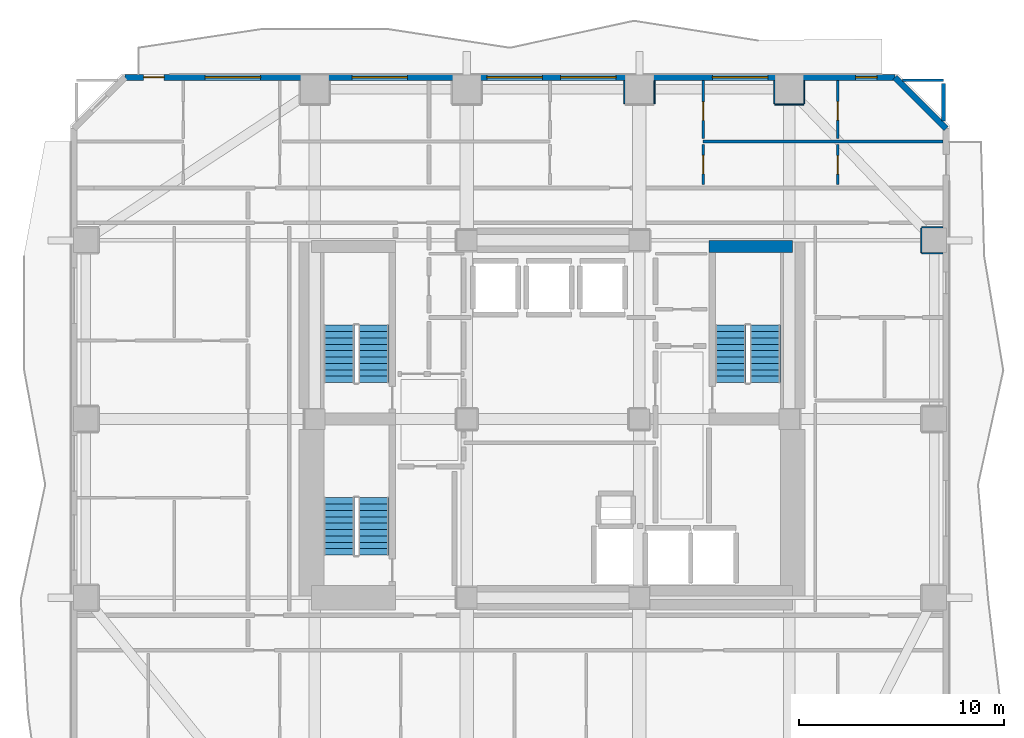
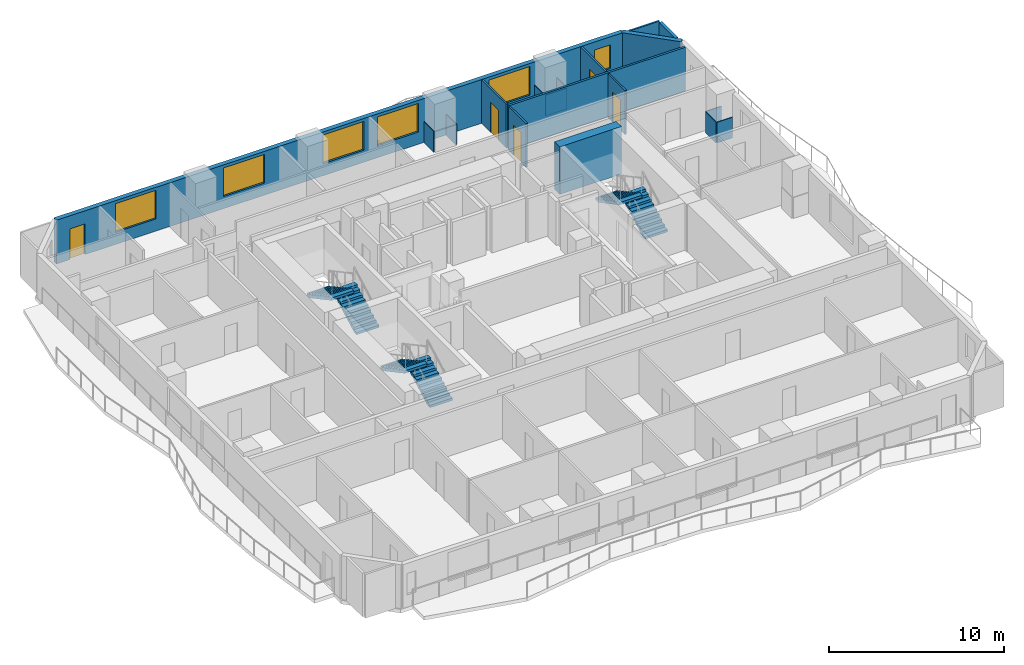
# One storey, part 7 of 11: 18 walls, 6 stair flights, 6 windows, 5 doors, 11 openings, 3 elements without a shape of their own.
"""IFC4 building model written with IfcOpenShell, lengths in metres."""

from ifc_helpers import new_model, si_unit, direction, frame, frame_2d, origin, place, context, subcontext, project, spatial, polyline, rectangle, outline, extrude, material, layer, layer_set, type_object, element, fill, aggregate, save


model = new_model("IFC4")

# Units and contexts
model_context = context("Model", 3, precision=1e-05, world=origin(), true_north=direction((0.0, 1.0)))
body_context = subcontext(model_context, "Body", "Model", "MODEL_VIEW")
ifc_project = project(units=[si_unit("LENGTHUNIT", "METRE"), si_unit("AREAUNIT", "SQUARE_METRE"), si_unit("VOLUMEUNIT", "CUBIC_METRE"), si_unit("PLANEANGLEUNIT", "RADIAN"), si_unit("MASSUNIT", "GRAM", prefix="KILO")], contexts=[model_context])

# Site, building, storey
site_placement = place(None, origin())
site = spatial("IfcSite", under=ifc_project, at=site_placement, CompositionType="ELEMENT")
building_placement = place(site_placement, origin())
building = spatial("IfcBuilding", under=site, at=building_placement, Name="Solanera Arch Residences", CompositionType="ELEMENT")
storey_placement = place(building_placement, frame((0.0, 0.0, 28.639892578125)))
storey = spatial("IfcBuildingStorey", under=building, at=storey_placement, Name="L07", CompositionType="ELEMENT", Elevation=28.639892578125)

# Walls
ifc_material_1 = material(Name="Fire-Rated Gypsum Stud Partition", Category="gypsum")
ifc_layer_1 = layer(ifc_material_1, 0.06005859375)
ifc_layer_set_1 = layer_set([ifc_layer_1], Name="Fire-Rated Gypsum Stud Partition")
wall_type_1 = type_object("IfcWallType", Name="Column Acoustic Furring Wall 60", PredefinedType="PARTITIONING", material=ifc_layer_set_1)
for number, where, z_axis, x_axis, name in (
    (1, (28.468017578125, 46.050048828125, 0.0), (0.0, 0.0, 1.0), (0.0, 1.0, 0.0), "L07 Column Furring 14W"),
    (2, (29.931884765625, 46.050048828125, 0.0), (0.0, 0.0, 1.0), (0.0, 1.0, 0.0), "L07 Column Furring 14E"),
):
    element("IfcWall", number, at=place(storey_placement, frame(where, z_axis=z_axis, x_axis=x_axis)), inside=storey, type_object=wall_type_1, Name=name, PredefinedType="PARTITIONING", context=body_context, shape_type="SweptSolid", body=[
        extrude(rectangle(XDim=1.119873046875, YDim=0.06005859375, at=frame_2d((0.56005859375, 0.0))), origin(), (0.0, 0.0, 1.0), 1.4501953125),
    ])
wall_1_placement = place(storey_placement, frame((35.800048828125, 46.01806640625, 0.0), z_axis=(0.0, 0.0, 1.0), x_axis=(1.0, 0.0, 0.0)))
element("IfcWall", 3, at=wall_1_placement, inside=storey, type_object=wall_type_1, Name="L07 Column Furring 16S", PredefinedType="PARTITIONING", context=body_context, shape_type="SweptSolid", body=[
    extrude(rectangle(XDim=1.39990234375, YDim=0.06005859375, at=frame_2d((0.699951171875, 0.0))), origin(), (0.0, 0.0, 1.0), 1.4501953125),
])
for number, where, z_axis, x_axis, name in (
    (4, (35.76806640625, 46.050048828125, 0.0), (0.0, 0.0, 1.0), (0.0, 1.0, 0.0), "L07 Column Furring 16W"),
    (5, (37.23193359375, 46.050048828125, 0.0), (0.0, 0.0, 1.0), (0.0, 1.0, 0.0), "L07 Column Furring 16E"),
):
    element("IfcWall", number, at=place(storey_placement, frame(where, z_axis=z_axis, x_axis=x_axis)), inside=storey, type_object=wall_type_1, Name=name, PredefinedType="PARTITIONING", context=body_context, shape_type="SweptSolid", body=[
        extrude(rectangle(XDim=1.119873046875, YDim=0.06005859375, at=frame_2d((0.56005859375, 0.0))), origin(), (0.0, 0.0, 1.0), 1.4501953125),
    ])
for number, where, z_axis, x_axis, name in (
    (6, (42.949951171875, 38.76806640625, 0.0), (0.0, 0.0, 1.0), (1.0, 0.0, 0.0), "L07 Column Furring 22S"),
    (7, (42.949951171875, 40.031982421875, 0.0), (0.0, 0.0, 1.0), (1.0, 0.0, 0.0), "L07 Column Furring 22N"),
):
    element("IfcWall", number, at=place(storey_placement, frame(where, z_axis=z_axis, x_axis=x_axis)), inside=storey, type_object=wall_type_1, Name=name, PredefinedType="PARTITIONING", context=body_context, shape_type="SweptSolid", body=[
        extrude(rectangle(XDim=1.02001953125, YDim=0.06005859375, at=frame_2d((0.510009765625, 0.0))), origin(), (0.0, 0.0, 1.0), 1.4501953125),
    ])
wall_2_placement = place(storey_placement, frame((42.91796875, 38.800048828125, 0.0), z_axis=(0.0, 0.0, 1.0), x_axis=(0.0, 1.0, 0.0)))
element("IfcWall", 8, at=wall_2_placement, inside=storey, type_object=wall_type_1, Name="L07 Column Furring 22W", PredefinedType="PARTITIONING", context=body_context, shape_type="SweptSolid", body=[
    extrude(rectangle(XDim=1.199951171875, YDim=0.06005859375, at=frame_2d((0.60009765625, 0.0))), origin(), (0.0, 0.0, 1.0), 1.4501953125),
])
ifc_material_2 = material(Name="Concrete C40/50 (f'c = 45 MPa)", Category="concrete")
ifc_layer_2 = layer(ifc_material_2, 0.60009765625)
ifc_layer_set_2 = layer_set([ifc_layer_2], Name="Concrete C40/50 (f'c = 45 MPa)")
wall_type_2 = type_object("IfcWallType", Name="Core Shear Wall CW-600", PredefinedType="SHEAR", material=ifc_layer_set_2)
wall_3_placement = place(storey_placement, frame((32.580078125, 39.10009765625, 0.0), z_axis=(0.0, 0.0, 1.0), x_axis=(1.0, 0.0, 0.0)))
element("IfcWall", 9, at=wall_3_placement, inside=storey, type_object=wall_type_2, Name="L07 North-East Core Shear Wall", PredefinedType="SHEAR", context=body_context, shape_type="SweptSolid", body=[
    extrude(rectangle(XDim=4.079833984375, YDim=0.60009765625, at=frame_2d((2.0400390625, 0.0))), origin(), (0.0, 0.0, 1.0), 3.320068359375),
])
ifc_material_3 = material(Name="Autoclaved Aerated Concrete Blockwork", Category="masonry")
ifc_layer_3 = layer(ifc_material_3, 0.179931640625)
ifc_layer_set_3 = layer_set([ifc_layer_3], Name="Autoclaved Aerated Concrete Blockwork")
wall_type_3 = type_object("IfcWallType", Name="Corridor Fire Partition 180", PredefinedType="PARTITIONING", material=ifc_layer_set_3)
wall_4_placement = place(storey_placement, frame((44.0, 45.198974609375, 0.0), z_axis=(0.0, 0.0, 1.0), x_axis=(0.0, 1.0, 0.0)))
element("IfcWall", 10, at=wall_4_placement, inside=storey, type_object=wall_type_3, Name="L07 Interior Partition V10 2", PredefinedType="PARTITIONING", context=body_context, shape_type="SweptSolid", body=[
    extrude(rectangle(XDim=1.843017578125, YDim=0.179931640625, at=frame_2d((0.92138671875, 0.0))), origin(), (0.0, 0.0, 1.0), 3.06005859375),
])

# Wall, openings, door, windows
ifc_material_4 = material(Name="Precast Concrete C35/45", Category="concrete")
ifc_layer_4 = layer(ifc_material_4, 0.300048828125)
ifc_layer_set_4 = layer_set([ifc_layer_4], Name="Precast Concrete C35/45")
wall_type_4 = type_object("IfcWallType", Name="Exterior Wall Precast Masonry-Frame 300", PredefinedType="STANDARD", material=ifc_layer_set_4)
wall_5_placement = place(storey_placement, frame((4.1650390625, 47.3349609375, 0.0), z_axis=(0.0, 0.0, 1.0), x_axis=(1.0, 0.0, 0.0)))
wall_5 = element("IfcWall", 11, at=wall_5_placement, inside=storey, type_object=wall_type_4, Name="L07 Tower Exterior Precast Masonry-Frame Wall N", PredefinedType="STANDARD", context=body_context, shape_type="SweptSolid", body=[
    extrude(rectangle(XDim=37.469970703125, YDim=0.300048828125, at=frame_2d((18.73486328125, 0.0))), origin(), (0.0, 0.0, 1.0), 3.06005859375),
])
opening_1_placement = place(wall_5_placement, frame((0.90087890625, 0.0, 0.0)))
opening_1 = element("IfcOpeningElement", 12, at=opening_1_placement, cuts=wall_5, Name="Opening DB-01", PredefinedType="OPENING", context=body_context, shape_type="SweptSolid", body=[
    extrude(rectangle(XDim=1.0, YDim=2.14990234375, at=frame_2d((0.5, 1.074951171875))), frame((0.0, 0.159912109375, 0.0), z_axis=(0.0, -1.0, 0.0), x_axis=(1.0, 0.0, 0.0)), (0.0, 0.0, 1.0), 0.32),
])
opening_2_placement = place(wall_5_placement, frame((3.89306640625, 0.0, 0.85009765625)))
opening_2 = element("IfcOpeningElement", 13, at=opening_2_placement, cuts=wall_5, Name="Opening W-09", PredefinedType="OPENING", context=body_context, shape_type="SweptSolid", body=[
    extrude(rectangle(XDim=2.699951171875, YDim=2.0, at=frame_2d((1.35009765625, 1.0))), frame((0.0, 0.159912109375, 0.0), z_axis=(0.0, -1.0, 0.0), x_axis=(1.0, 0.0, 0.0)), (0.0, 0.0, 1.0), 0.32),
])
opening_3_placement = place(wall_5_placement, frame((11.044921875, 0.0, 0.85009765625)))
opening_3 = element("IfcOpeningElement", 14, at=opening_3_placement, cuts=wall_5, Name="Opening W-09", PredefinedType="OPENING", context=body_context, shape_type="SweptSolid", body=[
    extrude(rectangle(XDim=2.699951171875, YDim=2.0, at=frame_2d((1.35009765625, 1.0))), frame((0.0, 0.159912109375, 0.0), z_axis=(0.0, -1.0, 0.0), x_axis=(1.0, 0.0, 0.0)), (0.0, 0.0, 1.0), 0.32),
])
opening_4_placement = place(wall_5_placement, frame((21.2060546875, 0.0, 0.85009765625)))
opening_4 = element("IfcOpeningElement", 15, at=opening_4_placement, cuts=wall_5, Name="Opening W-09", PredefinedType="OPENING", context=body_context, shape_type="SweptSolid", body=[
    extrude(rectangle(XDim=2.699951171875, YDim=2.0, at=frame_2d((1.35009765625, 1.0))), frame((0.0, 0.159912109375, 0.0), z_axis=(0.0, -1.0, 0.0), x_axis=(1.0, 0.0, 0.0)), (0.0, 0.0, 1.0), 0.32),
])
opening_5_placement = place(wall_5_placement, frame((17.60595703125, 0.0, 0.85009765625)))
opening_5 = element("IfcOpeningElement", 16, at=opening_5_placement, cuts=wall_5, Name="Opening W-09", PredefinedType="OPENING", context=body_context, shape_type="SweptSolid", body=[
    extrude(rectangle(XDim=2.699951171875, YDim=2.0, at=frame_2d((1.35009765625, 1.0))), frame((0.0, 0.159912109375, 0.0), z_axis=(0.0, -1.0, 0.0), x_axis=(1.0, 0.0, 0.0)), (0.0, 0.0, 1.0), 0.32),
])
opening_6_placement = place(wall_5_placement, frame((28.587890625, 0.0, 0.85009765625)))
opening_6 = element("IfcOpeningElement", 17, at=opening_6_placement, cuts=wall_5, Name="Opening W-09", PredefinedType="OPENING", context=body_context, shape_type="SweptSolid", body=[
    extrude(rectangle(XDim=2.699951171875, YDim=2.0, at=frame_2d((1.35009765625, 1.0))), frame((0.0, 0.159912109375, 0.0), z_axis=(0.0, -1.0, 0.0), x_axis=(1.0, 0.0, 0.0)), (0.0, 0.0, 1.0), 0.32),
])
opening_7_placement = place(wall_5_placement, frame((35.56005859375, 0.0, 0.85009765625)))
opening_7 = element("IfcOpeningElement", 18, at=opening_7_placement, cuts=wall_5, Name="Opening W-07", PredefinedType="OPENING", context=body_context, shape_type="SweptSolid", body=[
    extrude(rectangle(XDim=1.050048828125, YDim=1.64990234375, at=frame_2d((0.52490234375, 0.824951171875))), frame((0.0, 0.159912109375, 0.0), z_axis=(0.0, -1.0, 0.0), x_axis=(1.0, 0.0, 0.0)), (0.0, 0.0, 1.0), 0.32),
])
ifc_material_5 = material(Name="Anodised Aluminium Alloy 6063-T6", Category="aluminium")
door_type_1 = type_object("IfcDoorType", Name="Glazed Balcony Swing Door DB-01", OperationType="NOTDEFINED", PredefinedType="DOOR", material=ifc_material_5)
door_1_placement = place(opening_1_placement, origin())
door_1 = element("IfcDoor", 19, at=door_1_placement, inside=storey, type_object=door_type_1, Name="DR-L07-OUT-02", OperationType="SINGLE_SWING_RIGHT", OverallHeight=2.14990234375, OverallWidth=1.0, PredefinedType="DOOR", context=body_context, shape_type="SweptSolid", body=[
    extrude(rectangle(XDim=1.0, YDim=2.14990234375, at=frame_2d((0.5, 1.074951171875))), frame((0.0, 0.02490234375, 0.0), z_axis=(0.0, -1.0, 0.0), x_axis=(1.0, 0.0, 0.0)), (0.0, 0.0, 1.0), 0.050048828125),
])
fill(opening_1, door_1)
ifc_material_6 = material(Name="Double Glazed Low-E Laminated Glass", Category="glass")
window_type_1 = type_object("IfcWindowType", Name="Punched Window W-07", PartitioningType="SINGLE_PANEL", PredefinedType="WINDOW", material=ifc_material_6)
window_1_placement = place(opening_7_placement, origin())
window_1 = element("IfcWindow", 20, at=window_1_placement, inside=storey, type_object=window_type_1, Name="L07 0704-BR3 Punched Window", OverallHeight=1.64990234375, OverallWidth=1.050048828125, PartitioningType="SINGLE_PANEL", PredefinedType="WINDOW", context=body_context, shape_type="SweptSolid", body=[
    extrude(rectangle(XDim=1.050048828125, YDim=1.64990234375, at=frame_2d((0.52490234375, 0.824951171875))), frame((0.0, 0.030029296875, 0.0), z_axis=(0.0, -1.0, 0.0), x_axis=(1.0, 0.0, 0.0)), (0.0, 0.0, 1.0), 0.06005859375),
])
fill(opening_7, window_1)
ifc_material_7 = material(Name="Double Glazed Low-E Laminated Glass", Category="glass")
window_type_2 = type_object("IfcWindowType", Name="Punched Window W-09", PartitioningType="TRIPLE_PANEL_VERTICAL", PredefinedType="WINDOW", material=ifc_material_7)
window_2_placement = place(opening_2_placement, origin())
window_2 = element("IfcWindow", 21, at=window_2_placement, inside=storey, type_object=window_type_2, Name="L07 0703-LIV Punched Window", OverallHeight=2.0, OverallWidth=2.699951171875, PartitioningType="SINGLE_PANEL", PredefinedType="WINDOW", context=body_context, shape_type="SweptSolid", body=[
    extrude(rectangle(XDim=2.699951171875, YDim=2.0, at=frame_2d((1.35009765625, 1.0))), frame((0.0, 0.030029296875, 0.0), z_axis=(0.0, -1.0, 0.0), x_axis=(1.0, 0.0, 0.0)), (0.0, 0.0, 1.0), 0.06005859375),
])
fill(opening_2, window_2)
window_3_placement = place(opening_3_placement, origin())
window_3 = element("IfcWindow", 22, at=window_3_placement, inside=storey, type_object=window_type_2, Name="L07 0703-BR2 Punched Window", OverallHeight=2.0, OverallWidth=2.699951171875, PartitioningType="SINGLE_PANEL", PredefinedType="WINDOW", context=body_context, shape_type="SweptSolid", body=[
    extrude(rectangle(XDim=2.699951171875, YDim=2.0, at=frame_2d((1.35009765625, 1.0))), frame((0.0, 0.030029296875, 0.0), z_axis=(0.0, -1.0, 0.0), x_axis=(1.0, 0.0, 0.0)), (0.0, 0.0, 1.0), 0.06005859375),
])
fill(opening_3, window_3)
window_4_placement = place(opening_4_placement, origin())
window_4 = element("IfcWindow", 23, at=window_4_placement, inside=storey, type_object=window_type_2, Name="L07 0704-LIV Punched Window", OverallHeight=2.0, OverallWidth=2.699951171875, PartitioningType="SINGLE_PANEL", PredefinedType="WINDOW", context=body_context, shape_type="SweptSolid", body=[
    extrude(rectangle(XDim=2.699951171875, YDim=2.0, at=frame_2d((1.35009765625, 1.0))), frame((0.0, 0.030029296875, 0.0), z_axis=(0.0, -1.0, 0.0), x_axis=(1.0, 0.0, 0.0)), (0.0, 0.0, 1.0), 0.06005859375),
])
fill(opening_4, window_4)
window_5_placement = place(opening_5_placement, origin())
window_5 = element("IfcWindow", 24, at=window_5_placement, inside=storey, type_object=window_type_2, Name="L07 0704-BR1 Punched Window", OverallHeight=2.0, OverallWidth=2.699951171875, PartitioningType="SINGLE_PANEL", PredefinedType="WINDOW", context=body_context, shape_type="SweptSolid", body=[
    extrude(rectangle(XDim=2.699951171875, YDim=2.0, at=frame_2d((1.35009765625, 1.0))), frame((0.0, 0.030029296875, 0.0), z_axis=(0.0, -1.0, 0.0), x_axis=(1.0, 0.0, 0.0)), (0.0, 0.0, 1.0), 0.06005859375),
])
fill(opening_5, window_5)
window_6_placement = place(opening_6_placement, origin())
window_6 = element("IfcWindow", 25, at=window_6_placement, inside=storey, type_object=window_type_2, Name="L07 0704-BR2 Punched Window", OverallHeight=2.0, OverallWidth=2.699951171875, PartitioningType="SINGLE_PANEL", PredefinedType="WINDOW", context=body_context, shape_type="SweptSolid", body=[
    extrude(rectangle(XDim=2.699951171875, YDim=2.0, at=frame_2d((1.35009765625, 1.0))), frame((0.0, 0.030029296875, 0.0), z_axis=(0.0, -1.0, 0.0), x_axis=(1.0, 0.0, 0.0)), (0.0, 0.0, 1.0), 0.06005859375),
])
fill(opening_6, window_6)

# Walls
wall_6_placement = place(storey_placement, frame((41.635009765625, 47.3349609375, 0.0), z_axis=(0.0, 0.0, 1.0), x_axis=(0.707106781187, -0.707106781187, 0.0)))
element("IfcWall", 26, at=wall_6_placement, inside=storey, type_object=wall_type_4, Name="L07 Tower Exterior Precast Masonry-Frame Wall CH3", PredefinedType="STANDARD", context=body_context, shape_type="SweptSolid", body=[
    extrude(rectangle(XDim=3.53564453125, YDim=0.300048828125, at=frame_2d((1.767822265625, 0.0))), origin(), (0.0, 0.0, 1.0), 3.06005859375),
])
ifc_material_8 = material(Name="Fire-Rated Gypsum Stud Partition", Category="gypsum")
ifc_layer_5 = layer(ifc_material_8, 0.1201171875)
ifc_layer_set_5 = layer_set([ifc_layer_5], Name="Fire-Rated Gypsum Stud Partition")
wall_type_5 = type_object("IfcWallType", Name="Unit Drywall Partition 120", PredefinedType="PARTITIONING", material=ifc_layer_set_5)
wall_7_placement = place(storey_placement, frame((41.9990234375, 47.199951171875, 0.0), z_axis=(0.0, 0.0, 1.0), x_axis=(1.0, 0.0, 0.0)))
element("IfcWall", 27, at=wall_7_placement, inside=storey, type_object=wall_type_5, Name="L07 Interior Partition H24 2", PredefinedType="PARTITIONING", context=body_context, shape_type="SweptSolid", body=[
    extrude(rectangle(XDim=2.0009765625, YDim=0.1201171875, at=frame_2d((1.00048828125, 0.0))), origin(), (0.0, 0.0, 1.0), 3.06005859375),
])

# Wall, opening, door
wall_8_placement = place(storey_placement, frame((32.305908203125, 42.10791015625, 0.0), z_axis=(0.0, 0.0, 1.0), x_axis=(0.0, 1.0, 0.0)))
wall_8 = element("IfcWall", 28, at=wall_8_placement, inside=storey, type_object=wall_type_5, Name="L07 Interior Partition V25 1", PredefinedType="PARTITIONING", context=body_context, shape_type="SweptSolid", body=[
    extrude(rectangle(XDim=1.962158203125, YDim=0.1201171875, at=frame_2d((0.98095703125, 0.0))), origin(), (0.0, 0.0, 1.0), 3.06005859375),
])
opening_8_placement = place(wall_8_placement, frame((0.533935546875, 0.0, 0.0)))
opening_8 = element("IfcOpeningElement", 29, at=opening_8_placement, cuts=wall_8, Name="Opening DI-02", PredefinedType="OPENING", context=body_context, shape_type="SweptSolid", body=[
    extrude(rectangle(XDim=0.89990234375, YDim=2.10009765625, at=frame_2d((0.449951171875, 1.050048828125))), frame((0.0, 0.070068359375, 0.0), z_axis=(0.0, -1.0, 0.0), x_axis=(1.0, 0.0, 0.0)), (0.0, 0.0, 1.0), 0.1401),
])
ifc_material_9 = material(Name="Fire-Rated Architectural Hardwood", Category="wood")
door_type_2 = type_object("IfcDoorType", Name="Suite Room Swing Door DI-02", OperationType="NOTDEFINED", PredefinedType="DOOR", material=ifc_material_9)
door_2_placement = place(opening_8_placement, origin())
door_2 = element("IfcDoor", 30, at=door_2_placement, inside=storey, type_object=door_type_2, Name="DR-L07-IN-036", OperationType="SINGLE_SWING_LEFT", OverallHeight=2.10009765625, OverallWidth=0.89990234375, PredefinedType="DOOR", context=body_context, shape_type="SweptSolid", body=[
    extrude(rectangle(XDim=0.89990234375, YDim=2.10009765625, at=frame_2d((0.449951171875, 1.050048828125))), frame((0.0, 0.02490234375, 0.0), z_axis=(0.0, -1.0, 0.0), x_axis=(1.0, 0.0, 0.0)), (0.0, 0.0, 1.0), 0.050048828125),
])
fill(opening_8, door_2)

wall_9_placement = place(storey_placement, frame((32.305908203125, 44.345947265625, 0.0), z_axis=(0.0, 0.0, 1.0), x_axis=(0.0, 1.0, 0.0)))
wall_9 = element("IfcWall", 31, at=wall_9_placement, inside=storey, type_object=wall_type_5, Name="L07 Interior Partition V25 2", PredefinedType="PARTITIONING", context=body_context, shape_type="SweptSolid", body=[
    extrude(rectangle(XDim=2.8271484375, YDim=0.1201171875, at=frame_2d((1.41357421875, 0.0))), origin(), (0.0, 0.0, 1.0), 3.06005859375),
])
opening_9_placement = place(wall_9_placement, frame((0.89501953125, 0.0, 0.0)))
opening_9 = element("IfcOpeningElement", 32, at=opening_9_placement, cuts=wall_9, Name="Opening DI-03", PredefinedType="OPENING", context=body_context, shape_type="SweptSolid", body=[
    extrude(rectangle(XDim=0.89990234375, YDim=2.10009765625, at=frame_2d((0.449951171875, 1.050048828125))), frame((0.0, 0.070068359375, 0.0), z_axis=(0.0, -1.0, 0.0), x_axis=(1.0, 0.0, 0.0)), (0.0, 0.0, 1.0), 0.1401),
])
ifc_material_10 = material(Name="Fire-Rated Architectural Hardwood", Category="wood")
door_type_3 = type_object("IfcDoorType", Name="Bedroom Swing Door DI-03", OperationType="NOTDEFINED", PredefinedType="DOOR", material=ifc_material_10)
door_3_placement = place(opening_9_placement, origin())
door_3 = element("IfcDoor", 33, at=door_3_placement, inside=storey, type_object=door_type_3, Name="DR-L07-IN-038", OperationType="SINGLE_SWING_LEFT", OverallHeight=2.10009765625, OverallWidth=0.89990234375, PredefinedType="DOOR", context=body_context, shape_type="SweptSolid", body=[
    extrude(rectangle(XDim=0.89990234375, YDim=2.10009765625, at=frame_2d((0.449951171875, 1.050048828125))), frame((0.0, 0.02490234375, 0.0), z_axis=(0.0, -1.0, 0.0), x_axis=(1.0, 0.0, 0.0)), (0.0, 0.0, 1.0), 0.050048828125),
])
fill(opening_9, door_3)

wall_10_placement = place(storey_placement, frame((38.85498046875, 42.10791015625, 0.0), z_axis=(0.0, 0.0, 1.0), x_axis=(0.0, 1.0, 0.0)))
wall_10 = element("IfcWall", 34, at=wall_10_placement, inside=storey, type_object=wall_type_5, Name="L07 Interior Partition V28 1", PredefinedType="PARTITIONING", context=body_context, shape_type="SweptSolid", body=[
    extrude(rectangle(XDim=1.962158203125, YDim=0.1201171875, at=frame_2d((0.98095703125, 0.0))), origin(), (0.0, 0.0, 1.0), 3.06005859375),
])
opening_10_placement = place(wall_10_placement, frame((0.52099609375, 0.0, 0.0)))
opening_10 = element("IfcOpeningElement", 35, at=opening_10_placement, cuts=wall_10, Name="Opening DI-02", PredefinedType="OPENING", context=body_context, shape_type="SweptSolid", body=[
    extrude(rectangle(XDim=0.89990234375, YDim=2.10009765625, at=frame_2d((0.449951171875, 1.050048828125))), frame((0.0, 0.070068359375, 0.0), z_axis=(0.0, -1.0, 0.0), x_axis=(1.0, 0.0, 0.0)), (0.0, 0.0, 1.0), 0.1401),
])
door_4_placement = place(opening_10_placement, origin())
door_4 = element("IfcDoor", 36, at=door_4_placement, inside=storey, type_object=door_type_2, Name="DR-L07-IN-037", OperationType="SINGLE_SWING_RIGHT", OverallHeight=2.10009765625, OverallWidth=0.89990234375, PredefinedType="DOOR", context=body_context, shape_type="SweptSolid", body=[
    extrude(rectangle(XDim=0.89990234375, YDim=2.10009765625, at=frame_2d((0.449951171875, 1.050048828125))), frame((0.0, 0.02490234375, 0.0), z_axis=(0.0, -1.0, 0.0), x_axis=(1.0, 0.0, 0.0)), (0.0, 0.0, 1.0), 0.050048828125),
])
fill(opening_10, door_4)

wall_11_placement = place(storey_placement, frame((38.85498046875, 44.345947265625, 0.0), z_axis=(0.0, 0.0, 1.0), x_axis=(0.0, 1.0, 0.0)))
wall_11 = element("IfcWall", 37, at=wall_11_placement, inside=storey, type_object=wall_type_5, Name="L07 Interior Partition V28 2", PredefinedType="PARTITIONING", context=body_context, shape_type="SweptSolid", body=[
    extrude(rectangle(XDim=2.8271484375, YDim=0.1201171875, at=frame_2d((1.41357421875, 0.0))), origin(), (0.0, 0.0, 1.0), 3.06005859375),
])
opening_11_placement = place(wall_11_placement, frame((0.907958984375, 0.0, 0.0)))
opening_11 = element("IfcOpeningElement", 38, at=opening_11_placement, cuts=wall_11, Name="Opening DI-03", PredefinedType="OPENING", context=body_context, shape_type="SweptSolid", body=[
    extrude(rectangle(XDim=0.89990234375, YDim=2.10009765625, at=frame_2d((0.449951171875, 1.050048828125))), frame((0.0, 0.070068359375, 0.0), z_axis=(0.0, -1.0, 0.0), x_axis=(1.0, 0.0, 0.0)), (0.0, 0.0, 1.0), 0.1401),
])
door_5_placement = place(opening_11_placement, origin())
door_5 = element("IfcDoor", 39, at=door_5_placement, inside=storey, type_object=door_type_3, Name="DR-L07-IN-039", OperationType="SINGLE_SWING_RIGHT", OverallHeight=2.10009765625, OverallWidth=0.89990234375, PredefinedType="DOOR", context=body_context, shape_type="SweptSolid", body=[
    extrude(rectangle(XDim=0.89990234375, YDim=2.10009765625, at=frame_2d((0.449951171875, 1.050048828125))), frame((0.0, 0.02490234375, 0.0), z_axis=(0.0, -1.0, 0.0), x_axis=(1.0, 0.0, 0.0)), (0.0, 0.0, 1.0), 0.050048828125),
])
fill(opening_11, door_5)

# Wall
ifc_material_11 = material(Name="Autoclaved Aerated Concrete Blockwork", Category="masonry")
ifc_layer_6 = layer(ifc_material_11, 0.139892578125)
ifc_layer_set_6 = layer_set([ifc_layer_6], Name="Autoclaved Aerated Concrete Blockwork")
wall_type_6 = type_object("IfcWallType", Name="Wet-Room Partition 140", PredefinedType="PARTITIONING", material=ifc_layer_set_6)
wall_12_placement = place(storey_placement, frame((32.305908203125, 44.2080078125, 0.0), z_axis=(0.0, 0.0, 1.0), x_axis=(1.0, 0.0, 0.0)))
element("IfcWall", 40, at=wall_12_placement, inside=storey, type_object=wall_type_6, Name="L07 Interior Partition H21", PredefinedType="PARTITIONING", context=body_context, shape_type="SweptSolid", body=[
    extrude(rectangle(XDim=11.6669921875, YDim=0.139892578125, at=frame_2d((5.83349609375, 0.0))), origin(), (0.0, 0.0, 1.0), 3.06005859375),
])

# Stair, stair flights
ifc_material_12 = material(Name="Concrete C40/50 (f'c = 45 MPa)", Category="concrete")
stair_type = type_object("IfcStairType", Name="Tower Dogleg Exit Stair 1480", PredefinedType="HALF_TURN_STAIR", material=ifc_material_12)
stair_1_placement = place(storey_placement, origin())
stair_1 = element("IfcStair", 41, at=stair_1_placement, inside=storey, type_object=stair_type, Name="L07 Tower Core Exit Stair 1", PredefinedType="HALF_TURN_STAIR")
ifc_material_13 = material(Name="Concrete C40/50 (f'c = 45 MPa)", Category="concrete")
stair_flight_type = type_object("IfcStairFlightType", Name="Tower Precast Stair Flight 1480", PredefinedType="STRAIGHT", material=ifc_material_13)
stair_flight_1_placement = place(storey_placement, frame((16.260009765625, 32.47998046875, 0.0), z_axis=(0.0, 0.0, 1.0), x_axis=(0.0, 1.0, 0.0)))
stair_flight_1 = element("IfcStairFlight", 42, at=stair_flight_1_placement, type_object=stair_flight_type, Name="ST-T1 flight 1", NumberOfRisers=10, NumberOfTreads=9, PredefinedType="STRAIGHT", RiserHeight=0.166, TreadLength=0.31, context=body_context, shape_type="SweptSolid", body=[
    extrude(outline(polyline([(0.0, 0.0), (0.0, 0.166015625), (0.31005859375, 0.166015625), (0.31005859375, 0.33203125), (0.6201171875, 0.33203125), (0.6201171875, 0.498046875), (0.929931640625, 0.498046875), (0.929931640625, 0.6640625), (1.239990234375, 0.6640625), (1.239990234375, 0.830078125), (1.550048828125, 0.830078125), (1.550048828125, 0.99609375), (1.860107421875, 0.99609375), (1.860107421875, 1.162109375), (2.169921875, 1.162109375), (2.169921875, 1.327880859375), (2.47998046875, 1.327880859375), (2.47998046875, 1.493896484375), (2.7900390625, 1.493896484375), (2.7900390625, 1.659912109375), (2.7900390625, 1.323974609375), (0.317626953125, 0.0), (0.0, 0.0)])), frame((0.0, 0.739990234375, 0.0), z_axis=(0.0, -1.0, 0.0), x_axis=(1.0, 0.0, 0.0)), (0.0, 0.0, 1.0), 1.47998046875),
])
stair_flight_2_placement = place(storey_placement, frame((14.580078125, 35.27001953125, 1.66015625), z_axis=(0.0, 0.0, 1.0), x_axis=(0.0, -1.0, 0.0)))
stair_flight_2 = element("IfcStairFlight", 43, at=stair_flight_2_placement, type_object=stair_flight_type, Name="ST-T1 flight 2", NumberOfRisers=10, NumberOfTreads=9, PredefinedType="STRAIGHT", RiserHeight=0.166, TreadLength=0.31, context=body_context, shape_type="SweptSolid", body=[
    extrude(outline(polyline([(0.0, 0.0), (0.0, 0.166015625), (0.31005859375, 0.166015625), (0.31005859375, 0.33203125), (0.6201171875, 0.33203125), (0.6201171875, 0.498046875), (0.929931640625, 0.498046875), (0.929931640625, 0.6640625), (1.239990234375, 0.6640625), (1.239990234375, 0.830078125), (1.550048828125, 0.830078125), (1.550048828125, 0.99609375), (1.860107421875, 0.99609375), (1.860107421875, 1.162109375), (2.169921875, 1.162109375), (2.169921875, 1.327880859375), (2.47998046875, 1.327880859375), (2.47998046875, 1.493896484375), (2.7900390625, 1.493896484375), (2.7900390625, 1.659912109375), (2.7900390625, 1.323974609375), (0.317626953125, 0.0), (0.0, 0.0)])), frame((0.0, 0.739990234375, 0.0), z_axis=(0.0, -1.0, 0.0), x_axis=(1.0, 0.0, 0.0)), (0.0, 0.0, 1.0), 1.47998046875),
])
aggregate(stair_1, [stair_flight_1, stair_flight_2])

stair_2_placement = place(storey_placement, origin())
stair_2 = element("IfcStair", 44, at=stair_2_placement, inside=storey, type_object=stair_type, Name="L07 Tower Core Exit Stair 2", PredefinedType="HALF_TURN_STAIR")
stair_flight_3_placement = place(storey_placement, frame((35.320068359375, 32.47998046875, 0.0), z_axis=(0.0, 0.0, 1.0), x_axis=(0.0, 1.0, 0.0)))
stair_flight_3 = element("IfcStairFlight", 45, at=stair_flight_3_placement, type_object=stair_flight_type, Name="ST-T2 flight 1", NumberOfRisers=10, NumberOfTreads=9, PredefinedType="STRAIGHT", RiserHeight=0.166, TreadLength=0.31, context=body_context, shape_type="SweptSolid", body=[
    extrude(outline(polyline([(0.0, 0.0), (0.0, 0.166015625), (0.31005859375, 0.166015625), (0.31005859375, 0.33203125), (0.6201171875, 0.33203125), (0.6201171875, 0.498046875), (0.929931640625, 0.498046875), (0.929931640625, 0.6640625), (1.239990234375, 0.6640625), (1.239990234375, 0.830078125), (1.550048828125, 0.830078125), (1.550048828125, 0.99609375), (1.860107421875, 0.99609375), (1.860107421875, 1.162109375), (2.169921875, 1.162109375), (2.169921875, 1.327880859375), (2.47998046875, 1.327880859375), (2.47998046875, 1.493896484375), (2.7900390625, 1.493896484375), (2.7900390625, 1.659912109375), (2.7900390625, 1.323974609375), (0.317626953125, 0.0), (0.0, 0.0)])), frame((0.0, 0.739990234375, 0.0), z_axis=(0.0, -1.0, 0.0), x_axis=(1.0, 0.0, 0.0)), (0.0, 0.0, 1.0), 1.47998046875),
])
stair_flight_4_placement = place(storey_placement, frame((33.639892578125, 35.27001953125, 1.66015625), z_axis=(0.0, 0.0, 1.0), x_axis=(0.0, -1.0, 0.0)))
stair_flight_4 = element("IfcStairFlight", 46, at=stair_flight_4_placement, type_object=stair_flight_type, Name="ST-T2 flight 2", NumberOfRisers=10, NumberOfTreads=9, PredefinedType="STRAIGHT", RiserHeight=0.166, TreadLength=0.31, context=body_context, shape_type="SweptSolid", body=[
    extrude(outline(polyline([(0.0, 0.0), (0.0, 0.166015625), (0.31005859375, 0.166015625), (0.31005859375, 0.33203125), (0.6201171875, 0.33203125), (0.6201171875, 0.498046875), (0.929931640625, 0.498046875), (0.929931640625, 0.6640625), (1.239990234375, 0.6640625), (1.239990234375, 0.830078125), (1.550048828125, 0.830078125), (1.550048828125, 0.99609375), (1.860107421875, 0.99609375), (1.860107421875, 1.162109375), (2.169921875, 1.162109375), (2.169921875, 1.327880859375), (2.47998046875, 1.327880859375), (2.47998046875, 1.493896484375), (2.7900390625, 1.493896484375), (2.7900390625, 1.659912109375), (2.7900390625, 1.323974609375), (0.317626953125, 0.0), (0.0, 0.0)])), frame((0.0, 0.739990234375, 0.0), z_axis=(0.0, -1.0, 0.0), x_axis=(1.0, 0.0, 0.0)), (0.0, 0.0, 1.0), 1.47998046875),
])
aggregate(stair_2, [stair_flight_3, stair_flight_4])

stair_3_placement = place(storey_placement, origin())
stair_3 = element("IfcStair", 47, at=stair_3_placement, inside=storey, type_object=stair_type, Name="L07 Tower Core Exit Stair 3", PredefinedType="HALF_TURN_STAIR")
stair_flight_5_placement = place(storey_placement, frame((16.260009765625, 24.080078125, 0.0), z_axis=(0.0, 0.0, 1.0), x_axis=(0.0, 1.0, 0.0)))
stair_flight_5 = element("IfcStairFlight", 48, at=stair_flight_5_placement, type_object=stair_flight_type, Name="ST-T3 flight 1", NumberOfRisers=10, NumberOfTreads=9, PredefinedType="STRAIGHT", RiserHeight=0.166, TreadLength=0.31, context=body_context, shape_type="SweptSolid", body=[
    extrude(outline(polyline([(0.0, 0.0), (0.0, 0.166015625), (0.31005859375, 0.166015625), (0.31005859375, 0.33203125), (0.6201171875, 0.33203125), (0.6201171875, 0.498046875), (0.929931640625, 0.498046875), (0.929931640625, 0.6640625), (1.239990234375, 0.6640625), (1.239990234375, 0.830078125), (1.550048828125, 0.830078125), (1.550048828125, 0.99609375), (1.860107421875, 0.99609375), (1.860107421875, 1.162109375), (2.169921875, 1.162109375), (2.169921875, 1.327880859375), (2.47998046875, 1.327880859375), (2.47998046875, 1.493896484375), (2.7900390625, 1.493896484375), (2.7900390625, 1.659912109375), (2.7900390625, 1.323974609375), (0.317626953125, 0.0), (0.0, 0.0)])), frame((0.0, 0.739990234375, 0.0), z_axis=(0.0, -1.0, 0.0), x_axis=(1.0, 0.0, 0.0)), (0.0, 0.0, 1.0), 1.47998046875),
])
stair_flight_6_placement = place(storey_placement, frame((14.580078125, 26.8701171875, 1.66015625), z_axis=(0.0, 0.0, 1.0), x_axis=(0.0, -1.0, 0.0)))
stair_flight_6 = element("IfcStairFlight", 49, at=stair_flight_6_placement, type_object=stair_flight_type, Name="ST-T3 flight 2", NumberOfRisers=10, NumberOfTreads=9, PredefinedType="STRAIGHT", RiserHeight=0.166, TreadLength=0.31, context=body_context, shape_type="SweptSolid", body=[
    extrude(outline(polyline([(0.0, 0.0), (0.0, 0.166015625), (0.31005859375, 0.166015625), (0.31005859375, 0.33203125), (0.6201171875, 0.33203125), (0.6201171875, 0.498046875), (0.929931640625, 0.498046875), (0.929931640625, 0.6640625), (1.239990234375, 0.6640625), (1.239990234375, 0.830078125), (1.550048828125, 0.830078125), (1.550048828125, 0.99609375), (1.860107421875, 0.99609375), (1.860107421875, 1.162109375), (2.169921875, 1.162109375), (2.169921875, 1.327880859375), (2.47998046875, 1.327880859375), (2.47998046875, 1.493896484375), (2.7900390625, 1.493896484375), (2.7900390625, 1.659912109375), (2.7900390625, 1.323974609375), (0.317626953125, 0.0), (0.0, 0.0)])), frame((0.0, 0.739990234375, 0.0), z_axis=(0.0, -1.0, 0.0), x_axis=(1.0, 0.0, 0.0)), (0.0, 0.0, 1.0), 1.47998046875),
])
aggregate(stair_3, [stair_flight_5, stair_flight_6])

save(model, "model.ifc")
